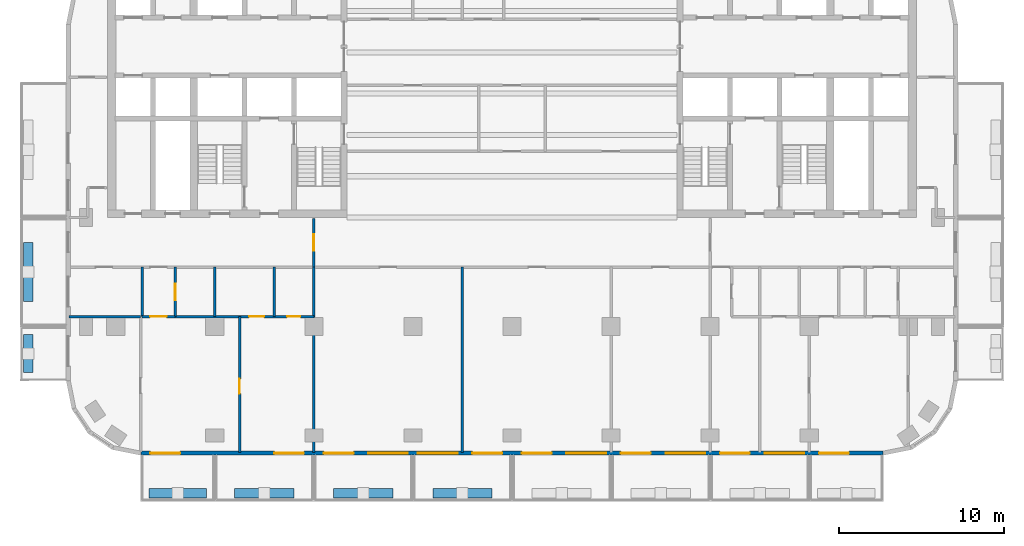
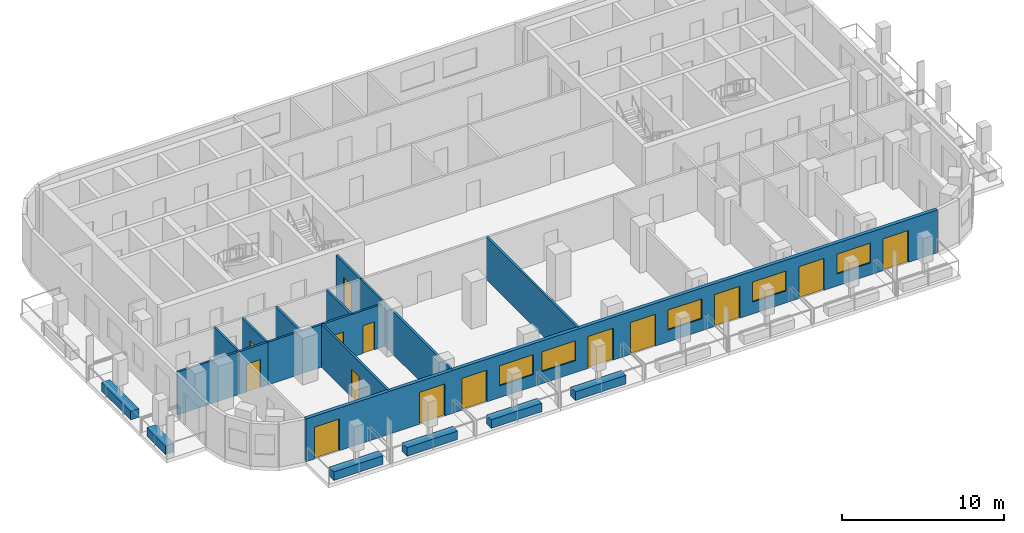
# One storey, part 2 of 11: 18 walls, 14 doors, 5 windows, 19 openings.
"""IFC4 building model written with IfcOpenShell, lengths in metres."""

import ifcopenshell
import ifcopenshell.guid

model = None  # the IFC model being written
_history = None  # IfcOwnerHistory: only IFC2X3 demands one
_inside = {}  # id of a spatial element -> (the spatial element, [elements in it])
_under = {}  # id of a project, library or spatial element -> (it, [spatial elements below it])
_declared = {}  # id of a project -> (the project, [libraries it declares])
_typed = {}  # id of a type object -> (the type object, [elements of that type])
_made_of = {}  # id of a material, layer set ... -> (it, [elements and type objects made of it])


def new_model(schema):
    """Start an empty IFC model of exactly this schema.

    Asked for "IFC4X3", IfcOpenShell would pick the latest addendum, in which some entities
    have other attributes; the version numbers below select the first issue.
    IFC2X3 requires an IfcOwnerHistory on every rooted entity: one is made here for all.
    """
    global model, _history
    if schema == "IFC4X3":
        model = ifcopenshell.file(schema_version=(4, 3, 0, 0))
    else:
        model = ifcopenshell.file(schema=schema)
    _inside.clear()
    _under.clear()
    _declared.clear()
    _typed.clear()
    _made_of.clear()
    _history = None
    if model.schema == "IFC2X3":
        org = make("IfcOrganization", Name="unknown")
        user = make(
            "IfcPersonAndOrganization",
            ThePerson=make("IfcPerson", FamilyName="unknown"),
            TheOrganization=org,
        )
        app = make(
            "IfcApplication",
            ApplicationDeveloper=org,
            Version="unknown",
            ApplicationFullName="unknown",
            ApplicationIdentifier="unknown",
        )
        _history = make(
            "IfcOwnerHistory",
            OwningUser=user,
            OwningApplication=app,
            ChangeAction="ADDED",
            CreationDate=0,
        )
    return model


def make(cls, **values):
    """One entity of the class cls with the attributes given. An attribute that is None is left unset."""
    return model.create_entity(
        cls, **{name: value for name, value in values.items() if value is not None}
    )


def rooted(cls, **values):
    """An entity with a GlobalId (a new one), such as an element, a storey or a relation."""
    return make(cls, GlobalId=ifcopenshell.guid.new(), OwnerHistory=_history, **values)


def si_unit(unit_type, name, prefix=None):
    """IfcSIUnit, for example si_unit("LENGTHUNIT", "METRE", prefix="MILLI")."""
    return make("IfcSIUnit", UnitType=unit_type, Prefix=prefix, Name=name)


def assignment(units):
    """IfcUnitAssignment: the units of a project."""
    return None if units is None else make("IfcUnitAssignment", Units=units)


def point(xyz):
    """IfcCartesianPoint."""
    return None if xyz is None else make("IfcCartesianPoint", Coordinates=xyz)


def direction(xyz):
    """IfcDirection."""
    return None if xyz is None else make("IfcDirection", DirectionRatios=xyz)


def frame(location, z_axis=None, x_axis=None):
    """IfcAxis2Placement3D, a coordinate frame: its origin and axes. An axis left out is left unset."""
    return make(
        "IfcAxis2Placement3D",
        Location=point(location),
        Axis=direction(z_axis),
        RefDirection=direction(x_axis),
    )


def frame_2d(location, x_axis=None):
    """IfcAxis2Placement2D, a coordinate frame in the plane: its origin and x axis."""
    return make(
        "IfcAxis2Placement2D", Location=point(location), RefDirection=direction(x_axis)
    )


def origin():
    """The frame at (0, 0, 0) with its axes left unset."""
    return frame((0.0, 0.0, 0.0))


def place(relative_to, where):
    """IfcLocalPlacement: puts the frame where relative to a parent placement (None: the world)."""
    return make(
        "IfcLocalPlacement", PlacementRelTo=relative_to, RelativePlacement=where
    )


def context(
    kind, dimensions, precision=None, world=None, true_north=None, identifier=None
):
    """IfcGeometricRepresentationContext, for example the 3D "Model" context."""
    return make(
        "IfcGeometricRepresentationContext",
        ContextIdentifier=identifier,
        ContextType=kind,
        CoordinateSpaceDimension=dimensions,
        Precision=precision,
        WorldCoordinateSystem=world,
        TrueNorth=true_north,
    )


def subcontext(parent, identifier, kind, view, scale=None):
    """IfcGeometricRepresentationSubContext, for example "Body" below "Model"."""
    return make(
        "IfcGeometricRepresentationSubContext",
        ContextIdentifier=identifier,
        ContextType=kind,
        ParentContext=parent,
        TargetScale=scale,
        TargetView=view,
    )


def project(units=None, contexts=None):
    """IfcProject with its units and contexts."""
    return rooted(
        "IfcProject",
        Name="project",
        RepresentationContexts=contexts,
        UnitsInContext=assignment(units),
    )


def spatial(cls, under=None, at=None, **own):
    """A site, building, storey or space (cls), placed at a placement, below another one or the project."""
    s = rooted(cls, ObjectPlacement=at, **own)
    if under is not None:
        _under.setdefault(under.id(), (under, []))[1].append(s)
    return s


def profile(cls, at=None, kind="AREA", **sizes):
    """A parametric profile (cls). Its sizes go by their IFC names, for example OverallWidth=200.0."""
    return make(cls, ProfileType=kind, Position=at, **sizes)


def rectangle(**sizes):
    """IfcRectangleProfileDef."""
    return profile("IfcRectangleProfileDef", **sizes)


def extrude(swept, where, along, depth):
    """IfcExtrudedAreaSolid: the profile swept, set in the frame where, extruded along a direction by depth."""
    return make(
        "IfcExtrudedAreaSolid",
        SweptArea=swept,
        Position=where,
        ExtrudedDirection=direction(along),
        Depth=depth,
    )


def shape(context_of_items, identifier, shape_type, items):
    """IfcShapeRepresentation: the items that make up one representation, for example the "Body"."""
    return make(
        "IfcShapeRepresentation",
        ContextOfItems=context_of_items,
        RepresentationIdentifier=identifier,
        RepresentationType=shape_type,
        Items=items,
    )


def material(Name=None, Category=None):
    """IfcMaterial."""
    return make("IfcMaterial", Name=Name, Category=Category)


def layer(
    of_material, thickness, ventilated=None, Name=None, Category=None, Priority=None
):
    """IfcMaterialLayer: one layer of a wall or slab, of a material (None: an air gap)."""
    return make(
        "IfcMaterialLayer",
        Material=of_material,
        LayerThickness=thickness,
        IsVentilated=ventilated,
        Name=Name,
        Category=Category,
        Priority=Priority,
    )


def layer_set(layers, Name=None):
    """IfcMaterialLayerSet."""
    return make("IfcMaterialLayerSet", MaterialLayers=layers, LayerSetName=Name)


def made_of(thing, what):
    """Note that an element or type object is made of a material, layer set ...; save() writes the relation."""
    if what is not None:
        _made_of.setdefault(what.id(), (what, []))[1].append(thing)
    return thing


def type_object(cls, material=None, **own):
    """A type object (cls), such as IfcWallType, which elements share."""
    return made_of(rooted(cls, **own), material)


def element(
    cls,
    number,
    at=None,
    inside=None,
    cuts=None,
    type_object=None,
    material=None,
    context=None,
    identifier="Body",
    shape_type=None,
    held_by="IfcProductDefinitionShape",
    body=None,
    shapes=None,
    **own,
):
    """One element of the class cls, such as IfcWall. Its Tag is "e" and its number.

    at: its placement. inside: the storey or other place that contains it. cuts: it is an
    opening in that element (IfcRelVoidsElement). A single representation is given by context,
    identifier, shape_type and body (its items); several are given by shapes. held_by: the class
    of the entity that holds the representations. save() writes the other relations.
    """
    e = rooted(cls, Tag="e%d" % number, ObjectPlacement=at, **own)
    if body is not None:
        shapes = [shape(context, identifier, shape_type, body)]
    if shapes is not None:
        e.Representation = make(held_by, Representations=shapes)
    if inside is not None:
        _inside.setdefault(inside.id(), (inside, []))[1].append(e)
    if cuts is not None:
        rooted(
            "IfcRelVoidsElement", RelatingBuildingElement=cuts, RelatedOpeningElement=e
        )
    if type_object is not None:
        _typed.setdefault(type_object.id(), (type_object, []))[1].append(e)
    return made_of(e, material)


def fill(opening, filler):
    """IfcRelFillsElement: the door or window that sits in an opening."""
    return rooted(
        "IfcRelFillsElement",
        RelatingOpeningElement=opening,
        RelatedBuildingElement=filler,
    )


def aggregate(whole, parts):
    """IfcRelAggregates: a whole, such as a stair, and the parts it consists of."""
    return rooted("IfcRelAggregates", RelatingObject=whole, RelatedObjects=parts)


def save(model, path):
    """Write the relations noted so far, then the file.

    IfcRelAggregates (storeys below a building ...), IfcRelContainedInSpatialStructure (elements
    in a storey), IfcRelDefinesByType, IfcRelAssociatesMaterial and IfcRelDeclares: one each for
    every whole, place, type object, material and project.
    """
    for whole, parts in _under.values():
        aggregate(whole, parts)
    for where, things in _inside.values():
        rooted(
            "IfcRelContainedInSpatialStructure",
            RelatedElements=things,
            RelatingStructure=where,
        )
    for kind, things in _typed.values():
        rooted("IfcRelDefinesByType", RelatedObjects=things, RelatingType=kind)
    for what, things in _made_of.values():
        rooted("IfcRelAssociatesMaterial", RelatedObjects=things, RelatingMaterial=what)
    for by, libraries in _declared.values():
        rooted("IfcRelDeclares", RelatingContext=by, RelatedDefinitions=libraries)
    model.write(path)


model = new_model("IFC4")

# Units and contexts
model_context = context("Model", 3, precision=1e-05, world=origin(), true_north=direction((0.0, 1.0)))
body_context = subcontext(model_context, "Body", "Model", "MODEL_VIEW")
ifc_project = project(units=[si_unit("LENGTHUNIT", "METRE"), si_unit("AREAUNIT", "SQUARE_METRE"), si_unit("VOLUMEUNIT", "CUBIC_METRE"), si_unit("PLANEANGLEUNIT", "RADIAN"), si_unit("MASSUNIT", "GRAM", prefix="KILO")], contexts=[model_context])

# Site, building, storey
site_placement = place(None, origin())
site = spatial("IfcSite", under=ifc_project, at=site_placement, CompositionType="ELEMENT")
building_placement = place(site_placement, origin())
building = spatial("IfcBuilding", under=site, at=building_placement, Name="Torana Hotel and Residences", CompositionType="ELEMENT")
storey_placement = place(building_placement, frame((0.0, 0.0, 232.60009765625)))
storey = spatial("IfcBuildingStorey", under=building, at=storey_placement, Name="L61", CompositionType="ELEMENT", Elevation=232.60009765625)

# Wall, openings, doors, windows
ifc_material_1 = material(Name="Black aluminium composite panel", Category="aluminium")
ifc_layer_1 = layer(ifc_material_1, 0.00390625, Name="Cladding", Category="cladding")
ifc_material_2 = material(Name="Ventilated air cavity")
ifc_layer_2 = layer(ifc_material_2, 0.0400390625, Name="Ventilated cavity", Category="cavity")
ifc_material_3 = material(Name="Mineral wool insulation")
ifc_layer_3 = layer(ifc_material_3, 0.090087890625, Name="Insulation", Category="insulation")
ifc_material_4 = material(Name="Steel S280GD", Category="steel")
ifc_layer_4 = layer(ifc_material_4, 0.092041015625, Name="Steel stud frame", Category="structure")
ifc_material_5 = material(Name="Fire rated plasterboard")
ifc_layer_5 = layer(ifc_material_5, 0.011962890625, Name="Inner board", Category="finish")
ifc_layer_6 = layer(ifc_material_5, 0.011962890625, Name="Second board", Category="finish")
ifc_layer_set_1 = layer_set([ifc_layer_1, ifc_layer_2, ifc_layer_3, ifc_layer_4, ifc_layer_5, ifc_layer_6], Name="EW1 EXTERNAL WALL BLACK METAL CLAD 250")
wall_type_1 = type_object("IfcWallType", Name="EW1 EXTERNAL WALL BLACK METAL CLAD 250", PredefinedType="SOLIDWALL", material=ifc_layer_set_1)
wall_1_placement = place(storey_placement, frame((-22.475341796875, -29.27490234375, 0.0), z_axis=(0.0, 0.0, 1.0), x_axis=(1.0, 0.0, 0.0)))
wall_1 = element("IfcWall", 1, at=wall_1_placement, inside=storey, type_object=wall_type_1, Name="External wall L61 e0.14", PredefinedType="SOLIDWALL", context=body_context, shape_type="SweptSolid", body=[
    extrude(rectangle(XDim=44.95068359375, YDim=0.25, at=frame_2d((22.475341796875, 0.0))), origin(), (0.0, 0.0, 1.0), 3.219970703125),
])
opening_1_placement = place(wall_1_placement, frame((0.575439453125, 0.0, 0.0)))
opening_1 = element("IfcOpeningElement", 2, at=opening_1_placement, cuts=wall_1, Name="Opening L61-E01", PredefinedType="OPENING", context=body_context, shape_type="SweptSolid", body=[
    extrude(rectangle(XDim=1.800048828125, YDim=2.39990234375, at=frame_2d((0.89990234375, 1.199951171875))), frame((0.0, 0.135009765625, 0.0), z_axis=(0.0, -1.0, 0.0), x_axis=(1.0, 0.0, 0.0)), (0.0, 0.0, 1.0), 0.27001953125),
])
opening_2_placement = place(wall_1_placement, frame((8.075439453125, 0.0, 0.0)))
opening_2 = element("IfcOpeningElement", 3, at=opening_2_placement, cuts=wall_1, Name="Opening L61-E02", PredefinedType="OPENING", context=body_context, shape_type="SweptSolid", body=[
    extrude(rectangle(XDim=1.800048828125, YDim=2.39990234375, at=frame_2d((0.89990234375, 1.199951171875))), frame((0.0, 0.135009765625, 0.0), z_axis=(0.0, -1.0, 0.0), x_axis=(1.0, 0.0, 0.0)), (0.0, 0.0, 1.0), 0.27001953125),
])
opening_3_placement = place(wall_1_placement, frame((11.075439453125, 0.0, 0.0)))
opening_3 = element("IfcOpeningElement", 4, at=opening_3_placement, cuts=wall_1, Name="Opening L61-E03", PredefinedType="OPENING", context=body_context, shape_type="SweptSolid", body=[
    extrude(rectangle(XDim=1.800048828125, YDim=2.39990234375, at=frame_2d((0.89990234375, 1.199951171875))), frame((0.0, 0.135009765625, 0.0), z_axis=(0.0, -1.0, 0.0), x_axis=(1.0, 0.0, 0.0)), (0.0, 0.0, 1.0), 0.27001953125),
])
opening_4_placement = place(wall_1_placement, frame((13.775390625, 0.0, 0.89990234375)))
opening_4 = element("IfcOpeningElement", 5, at=opening_4_placement, cuts=wall_1, Name="Opening W3", PredefinedType="OPENING", context=body_context, shape_type="SweptSolid", body=[
    extrude(rectangle(XDim=2.39990234375, YDim=1.5, at=frame_2d((1.199951171875, 0.75))), frame((0.0, 0.135009765625, 0.0), z_axis=(0.0, -1.0, 0.0), x_axis=(1.0, 0.0, 0.0)), (0.0, 0.0, 1.0), 0.27001953125),
])
opening_5_placement = place(wall_1_placement, frame((16.775390625, 0.0, 0.89990234375)))
opening_5 = element("IfcOpeningElement", 6, at=opening_5_placement, cuts=wall_1, Name="Opening W3", PredefinedType="OPENING", context=body_context, shape_type="SweptSolid", body=[
    extrude(rectangle(XDim=2.39990234375, YDim=1.5, at=frame_2d((1.199951171875, 0.75))), frame((0.0, 0.135009765625, 0.0), z_axis=(0.0, -1.0, 0.0), x_axis=(1.0, 0.0, 0.0)), (0.0, 0.0, 1.0), 0.27001953125),
])
opening_6_placement = place(wall_1_placement, frame((20.075439453125, 0.0, 0.0)))
opening_6 = element("IfcOpeningElement", 7, at=opening_6_placement, cuts=wall_1, Name="Opening L61-E04", PredefinedType="OPENING", context=body_context, shape_type="SweptSolid", body=[
    extrude(rectangle(XDim=1.800048828125, YDim=2.39990234375, at=frame_2d((0.89990234375, 1.199951171875))), frame((0.0, 0.135009765625, 0.0), z_axis=(0.0, -1.0, 0.0), x_axis=(1.0, 0.0, 0.0)), (0.0, 0.0, 1.0), 0.27001953125),
])
opening_7_placement = place(wall_1_placement, frame((23.075439453125, 0.0, 0.0)))
opening_7 = element("IfcOpeningElement", 8, at=opening_7_placement, cuts=wall_1, Name="Opening L61-E05", PredefinedType="OPENING", context=body_context, shape_type="SweptSolid", body=[
    extrude(rectangle(XDim=1.800048828125, YDim=2.39990234375, at=frame_2d((0.89990234375, 1.199951171875))), frame((0.0, 0.135009765625, 0.0), z_axis=(0.0, -1.0, 0.0), x_axis=(1.0, 0.0, 0.0)), (0.0, 0.0, 1.0), 0.27001953125),
])
opening_8_placement = place(wall_1_placement, frame((25.775390625, 0.0, 0.89990234375)))
opening_8 = element("IfcOpeningElement", 9, at=opening_8_placement, cuts=wall_1, Name="Opening W3", PredefinedType="OPENING", context=body_context, shape_type="SweptSolid", body=[
    extrude(rectangle(XDim=2.39990234375, YDim=1.5, at=frame_2d((1.199951171875, 0.75))), frame((0.0, 0.135009765625, 0.0), z_axis=(0.0, -1.0, 0.0), x_axis=(1.0, 0.0, 0.0)), (0.0, 0.0, 1.0), 0.27001953125),
])
opening_9_placement = place(wall_1_placement, frame((29.075439453125, 0.0, 0.0)))
opening_9 = element("IfcOpeningElement", 10, at=opening_9_placement, cuts=wall_1, Name="Opening L61-E06", PredefinedType="OPENING", context=body_context, shape_type="SweptSolid", body=[
    extrude(rectangle(XDim=1.800048828125, YDim=2.39990234375, at=frame_2d((0.89990234375, 1.199951171875))), frame((0.0, 0.135009765625, 0.0), z_axis=(0.0, -1.0, 0.0), x_axis=(1.0, 0.0, 0.0)), (0.0, 0.0, 1.0), 0.27001953125),
])
opening_10_placement = place(wall_1_placement, frame((31.775390625, 0.0, 0.89990234375)))
opening_10 = element("IfcOpeningElement", 11, at=opening_10_placement, cuts=wall_1, Name="Opening W3", PredefinedType="OPENING", context=body_context, shape_type="SweptSolid", body=[
    extrude(rectangle(XDim=2.39990234375, YDim=1.5, at=frame_2d((1.199951171875, 0.75))), frame((0.0, 0.135009765625, 0.0), z_axis=(0.0, -1.0, 0.0), x_axis=(1.0, 0.0, 0.0)), (0.0, 0.0, 1.0), 0.27001953125),
])
opening_11_placement = place(wall_1_placement, frame((35.075439453125, 0.0, 0.0)))
opening_11 = element("IfcOpeningElement", 12, at=opening_11_placement, cuts=wall_1, Name="Opening L61-E07", PredefinedType="OPENING", context=body_context, shape_type="SweptSolid", body=[
    extrude(rectangle(XDim=1.800048828125, YDim=2.39990234375, at=frame_2d((0.89990234375, 1.199951171875))), frame((0.0, 0.135009765625, 0.0), z_axis=(0.0, -1.0, 0.0), x_axis=(1.0, 0.0, 0.0)), (0.0, 0.0, 1.0), 0.27001953125),
])
opening_12_placement = place(wall_1_placement, frame((37.775390625, 0.0, 0.89990234375)))
opening_12 = element("IfcOpeningElement", 13, at=opening_12_placement, cuts=wall_1, Name="Opening W3", PredefinedType="OPENING", context=body_context, shape_type="SweptSolid", body=[
    extrude(rectangle(XDim=2.39990234375, YDim=1.5, at=frame_2d((1.199951171875, 0.75))), frame((0.0, 0.135009765625, 0.0), z_axis=(0.0, -1.0, 0.0), x_axis=(1.0, 0.0, 0.0)), (0.0, 0.0, 1.0), 0.27001953125),
])
opening_13_placement = place(wall_1_placement, frame((41.075439453125, 0.0, 0.0)))
opening_13 = element("IfcOpeningElement", 14, at=opening_13_placement, cuts=wall_1, Name="Opening L61-E08", PredefinedType="OPENING", context=body_context, shape_type="SweptSolid", body=[
    extrude(rectangle(XDim=1.800048828125, YDim=2.39990234375, at=frame_2d((0.89990234375, 1.199951171875))), frame((0.0, 0.135009765625, 0.0), z_axis=(0.0, -1.0, 0.0), x_axis=(1.0, 0.0, 0.0)), (0.0, 0.0, 1.0), 0.27001953125),
])
ifc_material_6 = material(Name="Dark glass in black aluminium frame", Category="aluminium")
door_type_1 = type_object("IfcDoorType", Name="DB1 BALCONY DOOR 1800x2400", OperationType="DOUBLE_DOOR_SINGLE_SWING", PredefinedType="DOOR", material=ifc_material_6)
door_1_placement = place(opening_1_placement, origin())
door_1 = element("IfcDoor", 15, at=door_1_placement, inside=storey, type_object=door_type_1, Name="Balcony door L61", OperationType="DOUBLE_DOOR_SINGLE_SWING", OverallHeight=2.39990234375, OverallWidth=1.800048828125, PredefinedType="DOOR", context=body_context, shape_type="SweptSolid", body=[
    extrude(rectangle(XDim=1.800048828125, YDim=2.39990234375, at=frame_2d((0.89990234375, 1.199951171875))), frame((0.0, 0.02490234375, 0.0), z_axis=(0.0, -1.0, 0.0), x_axis=(1.0, 0.0, 0.0)), (0.0, 0.0, 1.0), 0.050048828125),
])
fill(opening_1, door_1)
door_2_placement = place(opening_2_placement, origin())
door_2 = element("IfcDoor", 16, at=door_2_placement, inside=storey, type_object=door_type_1, Name="Balcony door L61", OperationType="DOUBLE_DOOR_SINGLE_SWING", OverallHeight=2.39990234375, OverallWidth=1.800048828125, PredefinedType="DOOR", context=body_context, shape_type="SweptSolid", body=[
    extrude(rectangle(XDim=1.800048828125, YDim=2.39990234375, at=frame_2d((0.89990234375, 1.199951171875))), frame((0.0, 0.02490234375, 0.0), z_axis=(0.0, -1.0, 0.0), x_axis=(1.0, 0.0, 0.0)), (0.0, 0.0, 1.0), 0.050048828125),
])
fill(opening_2, door_2)
door_3_placement = place(opening_3_placement, origin())
door_3 = element("IfcDoor", 17, at=door_3_placement, inside=storey, type_object=door_type_1, Name="Balcony door L61", OperationType="DOUBLE_DOOR_SINGLE_SWING", OverallHeight=2.39990234375, OverallWidth=1.800048828125, PredefinedType="DOOR", context=body_context, shape_type="SweptSolid", body=[
    extrude(rectangle(XDim=1.800048828125, YDim=2.39990234375, at=frame_2d((0.89990234375, 1.199951171875))), frame((0.0, 0.02490234375, 0.0), z_axis=(0.0, -1.0, 0.0), x_axis=(1.0, 0.0, 0.0)), (0.0, 0.0, 1.0), 0.050048828125),
])
fill(opening_3, door_3)
door_4_placement = place(opening_6_placement, origin())
door_4 = element("IfcDoor", 18, at=door_4_placement, inside=storey, type_object=door_type_1, Name="Balcony door L61", OperationType="DOUBLE_DOOR_SINGLE_SWING", OverallHeight=2.39990234375, OverallWidth=1.800048828125, PredefinedType="DOOR", context=body_context, shape_type="SweptSolid", body=[
    extrude(rectangle(XDim=1.800048828125, YDim=2.39990234375, at=frame_2d((0.89990234375, 1.199951171875))), frame((0.0, 0.02490234375, 0.0), z_axis=(0.0, -1.0, 0.0), x_axis=(1.0, 0.0, 0.0)), (0.0, 0.0, 1.0), 0.050048828125),
])
fill(opening_6, door_4)
door_5_placement = place(opening_7_placement, origin())
door_5 = element("IfcDoor", 19, at=door_5_placement, inside=storey, type_object=door_type_1, Name="Balcony door L61", OperationType="DOUBLE_DOOR_SINGLE_SWING", OverallHeight=2.39990234375, OverallWidth=1.800048828125, PredefinedType="DOOR", context=body_context, shape_type="SweptSolid", body=[
    extrude(rectangle(XDim=1.800048828125, YDim=2.39990234375, at=frame_2d((0.89990234375, 1.199951171875))), frame((0.0, 0.02490234375, 0.0), z_axis=(0.0, -1.0, 0.0), x_axis=(1.0, 0.0, 0.0)), (0.0, 0.0, 1.0), 0.050048828125),
])
fill(opening_7, door_5)
door_6_placement = place(opening_9_placement, origin())
door_6 = element("IfcDoor", 20, at=door_6_placement, inside=storey, type_object=door_type_1, Name="Balcony door L61", OperationType="DOUBLE_DOOR_SINGLE_SWING", OverallHeight=2.39990234375, OverallWidth=1.800048828125, PredefinedType="DOOR", context=body_context, shape_type="SweptSolid", body=[
    extrude(rectangle(XDim=1.800048828125, YDim=2.39990234375, at=frame_2d((0.89990234375, 1.199951171875))), frame((0.0, 0.02490234375, 0.0), z_axis=(0.0, -1.0, 0.0), x_axis=(1.0, 0.0, 0.0)), (0.0, 0.0, 1.0), 0.050048828125),
])
fill(opening_9, door_6)
door_7_placement = place(opening_11_placement, origin())
door_7 = element("IfcDoor", 21, at=door_7_placement, inside=storey, type_object=door_type_1, Name="Balcony door L61", OperationType="DOUBLE_DOOR_SINGLE_SWING", OverallHeight=2.39990234375, OverallWidth=1.800048828125, PredefinedType="DOOR", context=body_context, shape_type="SweptSolid", body=[
    extrude(rectangle(XDim=1.800048828125, YDim=2.39990234375, at=frame_2d((0.89990234375, 1.199951171875))), frame((0.0, 0.02490234375, 0.0), z_axis=(0.0, -1.0, 0.0), x_axis=(1.0, 0.0, 0.0)), (0.0, 0.0, 1.0), 0.050048828125),
])
fill(opening_11, door_7)
door_8_placement = place(opening_13_placement, origin())
door_8 = element("IfcDoor", 22, at=door_8_placement, inside=storey, type_object=door_type_1, Name="Balcony door L61", OperationType="DOUBLE_DOOR_SINGLE_SWING", OverallHeight=2.39990234375, OverallWidth=1.800048828125, PredefinedType="DOOR", context=body_context, shape_type="SweptSolid", body=[
    extrude(rectangle(XDim=1.800048828125, YDim=2.39990234375, at=frame_2d((0.89990234375, 1.199951171875))), frame((0.0, 0.02490234375, 0.0), z_axis=(0.0, -1.0, 0.0), x_axis=(1.0, 0.0, 0.0)), (0.0, 0.0, 1.0), 0.050048828125),
])
fill(opening_13, door_8)
ifc_material_7 = material(Name="Dark glass in black aluminium frame", Category="aluminium")
window_type = type_object("IfcWindowType", Name="W3 RESIDENCE WINDOW 2400x1500", PartitioningType="SINGLE_PANEL", PredefinedType="WINDOW", material=ifc_material_7)
window_1_placement = place(opening_4_placement, origin())
window_1 = element("IfcWindow", 23, at=window_1_placement, inside=storey, type_object=window_type, Name="Window L61", OverallHeight=1.5, OverallWidth=2.39990234375, PartitioningType="SINGLE_PANEL", PredefinedType="WINDOW", context=body_context, shape_type="SweptSolid", body=[
    extrude(rectangle(XDim=2.39990234375, YDim=1.5, at=frame_2d((1.199951171875, 0.75))), frame((0.0, 0.030029296875, 0.0), z_axis=(0.0, -1.0, 0.0), x_axis=(1.0, 0.0, 0.0)), (0.0, 0.0, 1.0), 0.06005859375),
])
fill(opening_4, window_1)
window_2_placement = place(opening_5_placement, origin())
window_2 = element("IfcWindow", 24, at=window_2_placement, inside=storey, type_object=window_type, Name="Window L61", OverallHeight=1.5, OverallWidth=2.39990234375, PartitioningType="SINGLE_PANEL", PredefinedType="WINDOW", context=body_context, shape_type="SweptSolid", body=[
    extrude(rectangle(XDim=2.39990234375, YDim=1.5, at=frame_2d((1.199951171875, 0.75))), frame((0.0, 0.030029296875, 0.0), z_axis=(0.0, -1.0, 0.0), x_axis=(1.0, 0.0, 0.0)), (0.0, 0.0, 1.0), 0.06005859375),
])
fill(opening_5, window_2)
window_3_placement = place(opening_8_placement, origin())
window_3 = element("IfcWindow", 25, at=window_3_placement, inside=storey, type_object=window_type, Name="Window L61", OverallHeight=1.5, OverallWidth=2.39990234375, PartitioningType="SINGLE_PANEL", PredefinedType="WINDOW", context=body_context, shape_type="SweptSolid", body=[
    extrude(rectangle(XDim=2.39990234375, YDim=1.5, at=frame_2d((1.199951171875, 0.75))), frame((0.0, 0.030029296875, 0.0), z_axis=(0.0, -1.0, 0.0), x_axis=(1.0, 0.0, 0.0)), (0.0, 0.0, 1.0), 0.06005859375),
])
fill(opening_8, window_3)
window_4_placement = place(opening_10_placement, origin())
window_4 = element("IfcWindow", 26, at=window_4_placement, inside=storey, type_object=window_type, Name="Window L61", OverallHeight=1.5, OverallWidth=2.39990234375, PartitioningType="SINGLE_PANEL", PredefinedType="WINDOW", context=body_context, shape_type="SweptSolid", body=[
    extrude(rectangle(XDim=2.39990234375, YDim=1.5, at=frame_2d((1.199951171875, 0.75))), frame((0.0, 0.030029296875, 0.0), z_axis=(0.0, -1.0, 0.0), x_axis=(1.0, 0.0, 0.0)), (0.0, 0.0, 1.0), 0.06005859375),
])
fill(opening_10, window_4)
window_5_placement = place(opening_12_placement, origin())
window_5 = element("IfcWindow", 27, at=window_5_placement, inside=storey, type_object=window_type, Name="Window L61", OverallHeight=1.5, OverallWidth=2.39990234375, PartitioningType="SINGLE_PANEL", PredefinedType="WINDOW", context=body_context, shape_type="SweptSolid", body=[
    extrude(rectangle(XDim=2.39990234375, YDim=1.5, at=frame_2d((1.199951171875, 0.75))), frame((0.0, 0.030029296875, 0.0), z_axis=(0.0, -1.0, 0.0), x_axis=(1.0, 0.0, 0.0)), (0.0, 0.0, 1.0), 0.06005859375),
])
fill(opening_12, window_5)

# Wall, opening, door
ifc_material_8 = material(Name="Gypsum plaster")
ifc_layer_7 = layer(ifc_material_8, 0.014892578125, Name="Plaster", Category="finish")
ifc_material_9 = material(Name="Concrete blockwork", Category="masonry")
ifc_layer_8 = layer(ifc_material_9, 0.1201171875, Name="Blockwork", Category="structure")
ifc_layer_9 = layer(ifc_material_8, 0.014892578125, Name="Plaster", Category="finish")
ifc_layer_set_2 = layer_set([ifc_layer_7, ifc_layer_8, ifc_layer_9], Name="FIRE PARTITION 150 BLOCKWORK")
wall_type_2 = type_object("IfcWallType", Name="FIRE PARTITION 150 BLOCKWORK", PredefinedType="PARTITIONING", material=ifc_layer_set_2)
wall_2_placement = place(storey_placement, frame((-12.0, -18.0, 0.0), z_axis=(0.0, 0.0, 1.0), x_axis=(0.0, 1.0, 0.0)))
wall_2 = element("IfcWall", 28, at=wall_2_placement, inside=storey, type_object=wall_type_2, Name="Partition L61", PredefinedType="PARTITIONING", context=body_context, shape_type="SweptSolid", body=[
    extrude(rectangle(XDim=2.949951171875, YDim=0.14990234375, at=frame_2d((1.47509765625, 0.0))), origin(), (0.0, 0.0, 1.0), 3.219970703125),
])
opening_14_placement = place(wall_2_placement, frame((1.0, 0.0, 0.0)))
opening_14 = element("IfcOpeningElement", 29, at=opening_14_placement, cuts=wall_2, Name="Opening L61-27", PredefinedType="OPENING", context=body_context, shape_type="SweptSolid", body=[
    extrude(rectangle(XDim=1.0, YDim=2.10009765625, at=frame_2d((0.5, 1.050048828125))), frame((0.0, 0.0849609375, 0.0), z_axis=(0.0, -1.0, 0.0), x_axis=(1.0, 0.0, 0.0)), (0.0, 0.0, 1.0), 0.169921875),
])
ifc_material_10 = material(Name="Steel S235", Category="steel")
door_type_2 = type_object("IfcDoorType", Name="ENTRY FIRE DOOR D6 1000x2100", OperationType="SINGLE_SWING_LEFT", PredefinedType="DOOR", material=ifc_material_10)
door_9_placement = place(opening_14_placement, origin())
door_9 = element("IfcDoor", 30, at=door_9_placement, inside=storey, type_object=door_type_2, Name="Door L61", OperationType="SINGLE_SWING_RIGHT", OverallHeight=2.10009765625, OverallWidth=1.0, PredefinedType="DOOR", context=body_context, shape_type="SweptSolid", body=[
    extrude(rectangle(XDim=1.0, YDim=2.10009765625, at=frame_2d((0.5, 1.050048828125))), frame((0.0, 0.02490234375, 0.0), z_axis=(0.0, -1.0, 0.0), x_axis=(1.0, 0.0, 0.0)), (0.0, 0.0, 1.0), 0.050048828125),
])
fill(opening_14, door_9)

wall_3_placement = place(storey_placement, frame((-20.39990234375, -21.0, 0.0), z_axis=(0.0, 0.0, 1.0), x_axis=(0.0, 1.0, 0.0)))
wall_3 = element("IfcWall", 31, at=wall_3_placement, inside=storey, type_object=wall_type_2, Name="Partition L61", PredefinedType="PARTITIONING", context=body_context, shape_type="SweptSolid", body=[
    extrude(rectangle(XDim=3.0, YDim=0.14990234375, at=frame_2d((1.5, 0.0))), origin(), (0.0, 0.0, 1.0), 3.219970703125),
])
opening_15_placement = place(wall_3_placement, frame((1.0, 0.0, 0.0)))
opening_15 = element("IfcOpeningElement", 32, at=opening_15_placement, cuts=wall_3, Name="Opening L61-50", PredefinedType="OPENING", context=body_context, shape_type="SweptSolid", body=[
    extrude(rectangle(XDim=1.0, YDim=2.10009765625, at=frame_2d((0.5, 1.050048828125))), frame((0.0, 0.0849609375, 0.0), z_axis=(0.0, -1.0, 0.0), x_axis=(1.0, 0.0, 0.0)), (0.0, 0.0, 1.0), 0.169921875),
])
door_10_placement = place(opening_15_placement, frame((0.5, 0.0, 0.0), z_axis=(0.0, 0.0, 1.0), x_axis=(-1.0, 0.0, 0.0)))
door_10 = element("IfcDoor", 33, at=door_10_placement, inside=storey, type_object=door_type_2, Name="Door L61", OperationType="SINGLE_SWING_LEFT", OverallHeight=2.10009765625, OverallWidth=1.0, PredefinedType="DOOR", context=body_context, shape_type="SweptSolid", body=[
    extrude(rectangle(XDim=1.0, YDim=2.10009765625, at=frame_2d((0.0, 1.050048828125))), frame((0.0, -0.02490234375, 0.0), z_axis=(0.0, 1.0, 0.0), x_axis=(-1.0, 0.0, 0.0)), (0.0, 0.0, 1.0), 0.050048828125),
])
fill(opening_15, door_10)

# Wall
wall_4_placement = place(storey_placement, frame((-22.39990234375, -21.0, 0.0), z_axis=(0.0, 0.0, 1.0), x_axis=(0.0, 1.0, 0.0)))
element("IfcWall", 34, at=wall_4_placement, inside=storey, type_object=wall_type_2, Name="Partition L61", PredefinedType="PARTITIONING", context=body_context, shape_type="SweptSolid", body=[
    extrude(rectangle(XDim=3.0, YDim=0.14990234375, at=frame_2d((1.5, 0.0))), origin(), (0.0, 0.0, 1.0), 3.219970703125),
])

# Wall, opening, door
wall_5_placement = place(storey_placement, frame((-22.39990234375, -21.0, 0.0), z_axis=(0.0, 0.0, 1.0), x_axis=(1.0, 0.0, 0.0)))
wall_5 = element("IfcWall", 35, at=wall_5_placement, inside=storey, type_object=wall_type_2, Name="Partition L61", PredefinedType="PARTITIONING", context=body_context, shape_type="SweptSolid", body=[
    extrude(rectangle(XDim=2.0, YDim=0.14990234375, at=frame_2d((1.0, 0.0))), origin(), (0.0, 0.0, 1.0), 3.219970703125),
])
opening_16_placement = place(wall_5_placement, frame((0.47998046875, 0.0, 0.0)))
opening_16 = element("IfcOpeningElement", 36, at=opening_16_placement, cuts=wall_5, Name="Opening L61-51", PredefinedType="OPENING", context=body_context, shape_type="SweptSolid", body=[
    extrude(rectangle(XDim=1.0, YDim=2.10009765625, at=frame_2d((0.5, 1.050048828125))), frame((0.0, 0.0849609375, 0.0), z_axis=(0.0, -1.0, 0.0), x_axis=(1.0, 0.0, 0.0)), (0.0, 0.0, 1.0), 0.169921875),
])
door_11_placement = place(opening_16_placement, frame((0.5, 0.0, 0.0), z_axis=(0.0, 0.0, 1.0), x_axis=(-1.0, 0.0, 0.0)))
door_11 = element("IfcDoor", 37, at=door_11_placement, inside=storey, type_object=door_type_2, Name="Door L61", OperationType="SINGLE_SWING_LEFT", OverallHeight=2.10009765625, OverallWidth=1.0, PredefinedType="DOOR", context=body_context, shape_type="SweptSolid", body=[
    extrude(rectangle(XDim=1.0, YDim=2.10009765625, at=frame_2d((0.0, 1.050048828125))), frame((0.0, -0.02490234375, 0.0), z_axis=(0.0, 1.0, 0.0), x_axis=(-1.0, 0.0, 0.0)), (0.0, 0.0, 1.0), 0.050048828125),
])
fill(opening_16, door_11)

# Walls
ifc_material_11 = material(Name="Gypsum plasterboard")
ifc_layer_10 = layer(ifc_material_11, 0.012451171875, Name="Plasterboard", Category="finish")
ifc_layer_11 = layer(ifc_material_11, 0.012451171875, Name="Plasterboard", Category="finish")
ifc_layer_12 = layer(ifc_material_4, 0.10009765625, Name="Steel studs with mineral wool", Category="insulation")
ifc_layer_13 = layer(ifc_material_11, 0.012451171875, Name="Plasterboard", Category="finish")
ifc_layer_14 = layer(ifc_material_11, 0.012451171875, Name="Plasterboard", Category="finish")
ifc_layer_set_3 = layer_set([ifc_layer_10, ifc_layer_11, ifc_layer_12, ifc_layer_13, ifc_layer_14], Name="PARTITION 150 PLASTERBOARD")
wall_type_3 = type_object("IfcWallType", Name="PARTITION 150 PLASTERBOARD", PredefinedType="PARTITIONING", material=ifc_layer_set_3)
for number, where, z_axis, x_axis, name in (
    (38, (-3.0, -29.219970703125, 0.0), (0.0, 0.0, 1.0), (0.0, 1.0, 0.0), "Partition L61"),
    (39, (-12.0, -29.219970703125, 0.0), (0.0, 0.0, 1.0), (0.0, 1.0, 0.0), "Partition L61"),
):
    element("IfcWall", number, at=place(storey_placement, frame(where, z_axis=z_axis, x_axis=x_axis)), inside=storey, type_object=wall_type_3, Name=name, PredefinedType="PARTITIONING", context=body_context, shape_type="SweptSolid", body=[
        extrude(rectangle(XDim=11.219970703125, YDim=0.14990234375, at=frame_2d((5.60986328125, 0.0))), origin(), (0.0, 0.0, 1.0), 3.219970703125),
    ])
wall_6_placement = place(storey_placement, frame((-14.39990234375, -21.0, 0.0), z_axis=(0.0, 0.0, 1.0), x_axis=(0.0, 1.0, 0.0)))
element("IfcWall", 40, at=wall_6_placement, inside=storey, type_object=wall_type_3, Name="Partition L61", PredefinedType="PARTITIONING", context=body_context, shape_type="SweptSolid", body=[
    extrude(rectangle(XDim=3.0, YDim=0.14990234375, at=frame_2d((1.5, 0.0))), origin(), (0.0, 0.0, 1.0), 3.219970703125),
])

# Wall, opening, door
wall_7_placement = place(storey_placement, frame((-16.5, -29.219970703125, 0.0), z_axis=(0.0, 0.0, 1.0), x_axis=(0.0, 1.0, 0.0)))
wall_7 = element("IfcWall", 41, at=wall_7_placement, inside=storey, type_object=wall_type_3, Name="Partition L61", PredefinedType="PARTITIONING", context=body_context, shape_type="SweptSolid", body=[
    extrude(rectangle(XDim=8.219970703125, YDim=0.14990234375, at=frame_2d((4.10986328125, 0.0))), origin(), (0.0, 0.0, 1.0), 3.219970703125),
])
opening_17_placement = place(wall_7_placement, frame((3.550048828125, 0.0, 0.0)))
opening_17 = element("IfcOpeningElement", 42, at=opening_17_placement, cuts=wall_7, Name="Opening L61-52", PredefinedType="OPENING", context=body_context, shape_type="SweptSolid", body=[
    extrude(rectangle(XDim=0.89990234375, YDim=2.10009765625, at=frame_2d((0.449951171875, 1.050048828125))), frame((0.0, 0.0849609375, 0.0), z_axis=(0.0, -1.0, 0.0), x_axis=(1.0, 0.0, 0.0)), (0.0, 0.0, 1.0), 0.169921875),
])
ifc_material_12 = material(Name="Timber door, oiled ash", Category="wood")
door_type_3 = type_object("IfcDoorType", Name="ROOM DOOR D7 900x2100", OperationType="SINGLE_SWING_LEFT", PredefinedType="DOOR", material=ifc_material_12)
door_12_placement = place(opening_17_placement, origin())
door_12 = element("IfcDoor", 43, at=door_12_placement, inside=storey, type_object=door_type_3, Name="Door L61", OperationType="SINGLE_SWING_RIGHT", OverallHeight=2.10009765625, OverallWidth=0.89990234375, PredefinedType="DOOR", context=body_context, shape_type="SweptSolid", body=[
    extrude(rectangle(XDim=0.89990234375, YDim=2.10009765625, at=frame_2d((0.449951171875, 1.050048828125))), frame((0.0, 0.02490234375, 0.0), z_axis=(0.0, -1.0, 0.0), x_axis=(1.0, 0.0, 0.0)), (0.0, 0.0, 1.0), 0.050048828125),
])
fill(opening_17, door_12)

# Walls
wall_8_placement = place(storey_placement, frame((-18.0, -21.0, 0.0), z_axis=(0.0, 0.0, 1.0), x_axis=(0.0, 1.0, 0.0)))
element("IfcWall", 44, at=wall_8_placement, inside=storey, type_object=wall_type_3, Name="Partition L61", PredefinedType="PARTITIONING", context=body_context, shape_type="SweptSolid", body=[
    extrude(rectangle(XDim=3.0, YDim=0.14990234375, at=frame_2d((1.5, 0.0))), origin(), (0.0, 0.0, 1.0), 3.219970703125),
])
wall_9_placement = place(storey_placement, frame((-26.820068359375, -21.0, 0.0), z_axis=(0.0, 0.0, 1.0), x_axis=(1.0, 0.0, 0.0)))
element("IfcWall", 45, at=wall_9_placement, inside=storey, type_object=wall_type_3, Name="Partition L61", PredefinedType="PARTITIONING", context=body_context, shape_type="SweptSolid", body=[
    extrude(rectangle(XDim=4.320068359375, YDim=0.14990234375, at=frame_2d((2.16015625, 0.0))), origin(), (0.0, 0.0, 1.0), 3.219970703125),
])

# Wall, openings, doors
wall_10_placement = place(storey_placement, frame((-20.39990234375, -21.0, 0.0), z_axis=(0.0, 0.0, 1.0), x_axis=(1.0, 0.0, 0.0)))
wall_10 = element("IfcWall", 46, at=wall_10_placement, inside=storey, type_object=wall_type_3, Name="Partition L61", PredefinedType="PARTITIONING", context=body_context, shape_type="SweptSolid", body=[
    extrude(rectangle(XDim=8.39990234375, YDim=0.14990234375, at=frame_2d((4.199951171875, 0.0))), origin(), (0.0, 0.0, 1.0), 3.219970703125),
])
opening_18_placement = place(wall_10_placement, frame((6.780029296875, 0.0, 0.0)))
opening_18 = element("IfcOpeningElement", 47, at=opening_18_placement, cuts=wall_10, Name="Opening L61-48", PredefinedType="OPENING", context=body_context, shape_type="SweptSolid", body=[
    extrude(rectangle(XDim=0.800048828125, YDim=2.10009765625, at=frame_2d((0.39990234375, 1.050048828125))), frame((0.0, 0.0849609375, 0.0), z_axis=(0.0, -1.0, 0.0), x_axis=(1.0, 0.0, 0.0)), (0.0, 0.0, 1.0), 0.169921875),
])
opening_19_placement = place(wall_10_placement, frame((4.47998046875, 0.0, 0.0)))
opening_19 = element("IfcOpeningElement", 48, at=opening_19_placement, cuts=wall_10, Name="Opening L61-49", PredefinedType="OPENING", context=body_context, shape_type="SweptSolid", body=[
    extrude(rectangle(XDim=0.89990234375, YDim=2.10009765625, at=frame_2d((0.449951171875, 1.050048828125))), frame((0.0, 0.0849609375, 0.0), z_axis=(0.0, -1.0, 0.0), x_axis=(1.0, 0.0, 0.0)), (0.0, 0.0, 1.0), 0.169921875),
])
ifc_material_13 = material(Name="Timber door, painted", Category="wood")
door_type_4 = type_object("IfcDoorType", Name="BATH DOOR D13 800x2100", OperationType="SINGLE_SWING_LEFT", PredefinedType="DOOR", material=ifc_material_13)
door_13_placement = place(opening_18_placement, origin())
door_13 = element("IfcDoor", 49, at=door_13_placement, inside=storey, type_object=door_type_4, Name="Door L61", OperationType="SINGLE_SWING_RIGHT", OverallHeight=2.10009765625, OverallWidth=0.800048828125, PredefinedType="DOOR", context=body_context, shape_type="SweptSolid", body=[
    extrude(rectangle(XDim=0.800048828125, YDim=2.10009765625, at=frame_2d((0.39990234375, 1.050048828125))), frame((0.0, 0.02490234375, 0.0), z_axis=(0.0, -1.0, 0.0), x_axis=(1.0, 0.0, 0.0)), (0.0, 0.0, 1.0), 0.050048828125),
])
fill(opening_18, door_13)
door_14_placement = place(opening_19_placement, origin())
door_14 = element("IfcDoor", 50, at=door_14_placement, inside=storey, type_object=door_type_3, Name="Door L61", OperationType="SINGLE_SWING_LEFT", OverallHeight=2.10009765625, OverallWidth=0.89990234375, PredefinedType="DOOR", context=body_context, shape_type="SweptSolid", body=[
    extrude(rectangle(XDim=0.89990234375, YDim=2.10009765625, at=frame_2d((0.449951171875, 1.050048828125))), frame((0.0, 0.02490234375, 0.0), z_axis=(0.0, -1.0, 0.0), x_axis=(1.0, 0.0, 0.0)), (0.0, 0.0, 1.0), 0.050048828125),
])
fill(opening_19, door_14)

# Walls
ifc_material_14 = material(Name="Concrete C40/50 precast", Category="concrete")
ifc_layer_15 = layer(ifc_material_14, 0.10009765625, Name="Planter shell", Category="structure")
ifc_material_15 = material(Name="Root resistant membrane")
ifc_layer_16 = layer(ifc_material_15, 0.00390625, Name="Waterproofing membrane", Category="membrane")
ifc_material_16 = material(Name="Drainage board with filter fleece")
ifc_layer_17 = layer(ifc_material_16, 0.02001953125, Name="Drainage board", Category="drainage")
ifc_material_17 = material(Name="Growing medium")
ifc_layer_18 = layer(ifc_material_17, 0.47607421875, Name="Planting substrate", Category="soil")
ifc_layer_set_4 = layer_set([ifc_layer_15, ifc_layer_16, ifc_layer_17, ifc_layer_18], Name="PL1 BALCONY PLANTER 600")
wall_type_4 = type_object("IfcWallType", Name="PL1 BALCONY PLANTER 600", PredefinedType="USERDEFINED", material=ifc_layer_set_4)
wall_11_placement = place(storey_placement, frame((-18.5, -31.699951171875, 0.0), z_axis=(0.0, 0.0, 1.0), x_axis=(-1.0, 0.0, 0.0)))
element("IfcWall", 51, at=wall_11_placement, inside=storey, type_object=wall_type_4, Name="Planter 01", ObjectType="PLANTER", PredefinedType="USERDEFINED", context=body_context, shape_type="SweptSolid", body=[
    extrude(rectangle(XDim=3.5, YDim=0.60009765625, at=frame_2d((1.75, 0.0))), origin(), (0.0, 0.0, 1.0), 0.64990234375),
])
for number, where, z_axis, x_axis, name in (
    (52, (-13.199951171875, -31.699951171875, 0.0), (0.0, 0.0, 1.0), (-1.0, 0.0, 0.0), "Planter 02"),
    (53, (-7.199951171875, -31.699951171875, 0.0), (0.0, 0.0, 1.0), (-1.0, 0.0, 0.0), "Planter 03"),
    (54, (-1.199951171875, -31.699951171875, 0.0), (0.0, 0.0, 1.0), (-1.0, 0.0, 0.0), "Planter 04"),
):
    element("IfcWall", number, at=place(storey_placement, frame(where, z_axis=z_axis, x_axis=x_axis)), inside=storey, type_object=wall_type_4, Name=name, ObjectType="PLANTER", PredefinedType="USERDEFINED", context=body_context, shape_type="SweptSolid", body=[
        extrude(rectangle(XDim=3.60009765625, YDim=0.60009765625, at=frame_2d((1.800048828125, 0.0))), origin(), (0.0, 0.0, 1.0), 0.64990234375),
    ])
wall_12_placement = place(storey_placement, frame((-29.300048828125, -24.39990234375, 0.0), z_axis=(0.0, 0.0, 1.0), x_axis=(0.0, 1.0, 0.0)))
element("IfcWall", 55, at=wall_12_placement, inside=storey, type_object=wall_type_4, Name="Planter 09", ObjectType="PLANTER", PredefinedType="USERDEFINED", context=body_context, shape_type="SweptSolid", body=[
    extrude(rectangle(XDim=2.2998046875, YDim=0.60009765625, at=frame_2d((1.14990234375, 0.0))), origin(), (0.0, 0.0, 1.0), 0.64990234375),
])
wall_13_placement = place(storey_placement, frame((-29.300048828125, -20.10009765625, 0.0), z_axis=(0.0, 0.0, 1.0), x_axis=(0.0, 1.0, 0.0)))
element("IfcWall", 56, at=wall_13_placement, inside=storey, type_object=wall_type_4, Name="Planter 10", ObjectType="PLANTER", PredefinedType="USERDEFINED", context=body_context, shape_type="SweptSolid", body=[
    extrude(rectangle(XDim=3.60009765625, YDim=0.60009765625, at=frame_2d((1.800048828125, 0.0))), origin(), (0.0, 0.0, 1.0), 0.64990234375),
])

save(model, "model.ifc")
